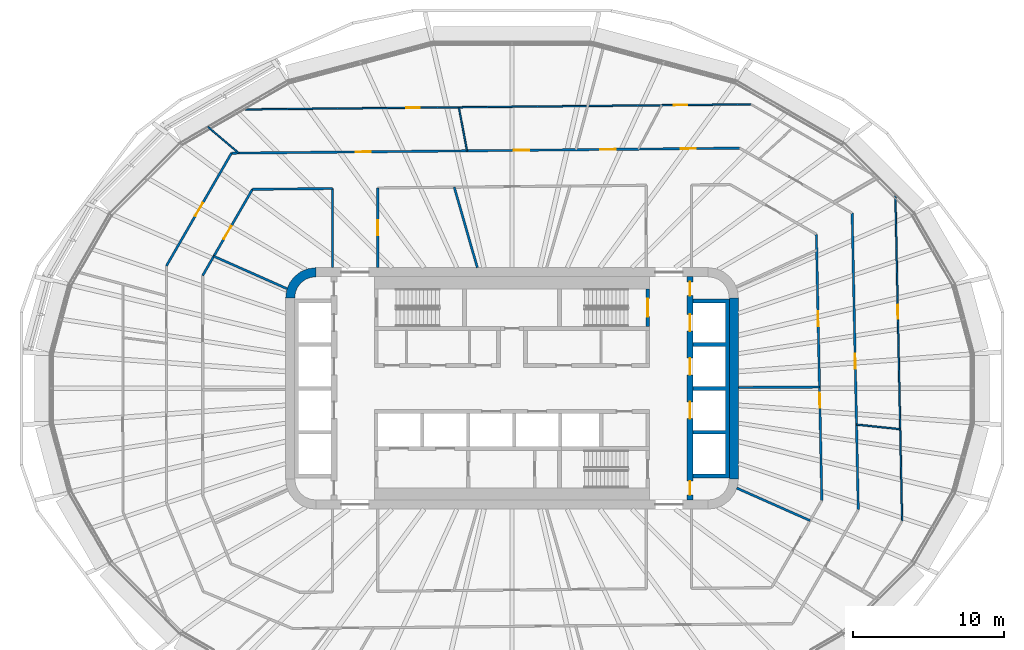
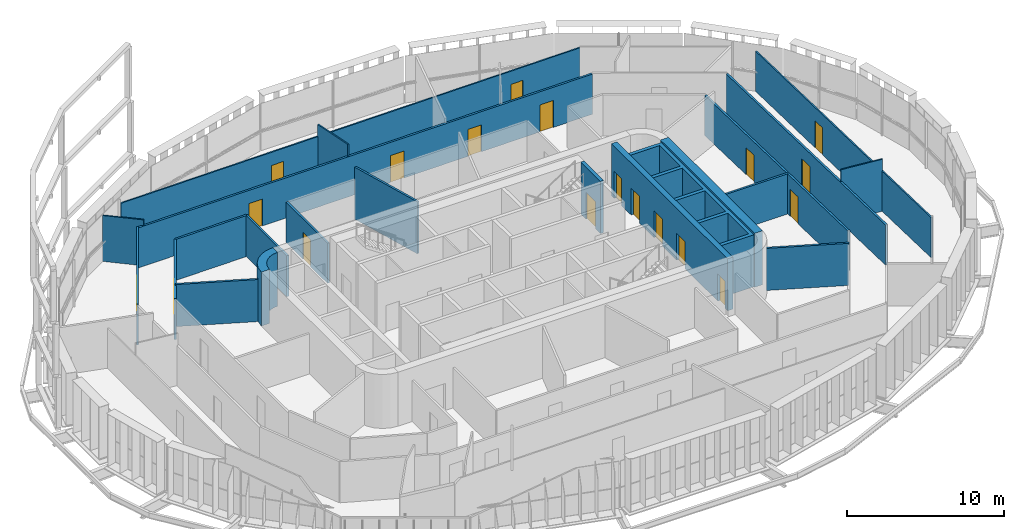
# One storey, part 15 of 24: 22 walls, 19 doors, 19 openings.
"""IFC4 building model written with IfcOpenShell, lengths in metres."""

from ifc_helpers import new_model, si_unit, direction, frame, frame_2d, origin, place, context, subcontext, project, spatial, polyline, rectangle, outline, extrude, material, layer, layer_set, type_object, element, fill, save


model = new_model("IFC4")

# Units and contexts
model_context = context("Model", 3, precision=1e-05, world=origin(), true_north=direction((0.0, 1.0)))
body_context = subcontext(model_context, "Body", "Model", "MODEL_VIEW")
ifc_project = project(units=[si_unit("LENGTHUNIT", "METRE"), si_unit("AREAUNIT", "SQUARE_METRE"), si_unit("VOLUMEUNIT", "CUBIC_METRE"), si_unit("PLANEANGLEUNIT", "RADIAN"), si_unit("MASSUNIT", "GRAM", prefix="KILO")], contexts=[model_context])

# Site, building, storey
site_placement = place(None, origin())
site = spatial("IfcSite", under=ifc_project, at=site_placement, CompositionType="ELEMENT")
building_placement = place(site_placement, origin())
building = spatial("IfcBuilding", under=site, at=building_placement, Name="Sahrelin Media Tower", CompositionType="ELEMENT")
storey_placement = place(building_placement, frame((0.0, 0.0, 58.800048828125)))
storey = spatial("IfcBuildingStorey", under=building, at=storey_placement, Name="L09", CompositionType="ELEMENT", Elevation=58.800048828125)

# Walls
ifc_material_1 = material(Name="Concrete C60/75", Category="concrete")
ifc_layer_1 = layer(ifc_material_1, 0.60009765625)
ifc_layer_set_1 = layer_set([ifc_layer_1], Name="Core wall 600")
wall_type_1 = type_object("IfcWallType", Name="Core wall 600", PredefinedType="SHEAR", material=ifc_layer_set_1)
wall_1_placement = place(storey_placement, frame((14.699951171875, -6.0, 0.0), z_axis=(0.0, 0.0, 1.0), x_axis=(0.0, 1.0, 0.0)))
element("IfcWall", 1, at=wall_1_placement, inside=storey, type_object=wall_type_1, Name="Core wall E L09", PredefinedType="SHEAR", context=body_context, shape_type="SweptSolid", body=[
    extrude(rectangle(XDim=12.0, YDim=0.60009765625, at=frame_2d((6.0, 0.0))), origin(), (0.0, 0.0, 1.0), 4.199951171875),
])
placement = place(storey_placement, origin())
element("IfcWall", 2, at=placement, inside=storey, type_object=wall_type_1, Name="Core wall corner NW L09", PredefinedType="SHEAR", context=body_context, shape_type="SweptSolid", body=[
    extrude(outline(polyline([(-15.0, 6.0), (-14.394775390625, 6.0), (-14.347412109375, 6.361083984375), (-14.2080078125, 6.697509765625), (-13.986328125, 6.986328125), (-13.697509765625, 7.2080078125), (-13.361083984375, 7.347412109375), (-13.0, 7.394775390625), (-13.0, 8.0), (-13.517578125, 7.931884765625), (-14.0, 7.732177734375), (-14.414306640625, 7.414306640625), (-14.732177734375, 7.0), (-14.931884765625, 6.517578125), (-15.0, 6.0)])), origin(), (0.0, 0.0, 1.0), 4.199951171875),
])

# Wall, openings, doors
ifc_material_2 = material(Name="Fire-rated gypsum board partition")
ifc_layer_2 = layer(ifc_material_2, 0.14990234375)
ifc_layer_set_2 = layer_set([ifc_layer_2], Name="Fire-rated partition 150")
wall_type_2 = type_object("IfcWallType", Name="Fire-rated partition 150", PredefinedType="PARTITIONING", material=ifc_layer_set_2)
wall_3_placement = place(storey_placement, frame((20.1669921875, 10.212890625, 0.0), z_axis=(0.0, 0.0, 1.0), x_axis=(0.020624730832, -0.999787287616, 0.0)))
wall_3 = element("IfcWall", 3, at=wall_3_placement, inside=storey, type_object=wall_type_2, Name="Wall", PredefinedType="PARTITIONING", context=body_context, shape_type="SweptSolid", body=[
    extrude(rectangle(XDim=17.637451171875, YDim=0.14990234375, at=frame_2d((8.81884765625, 0.0))), origin(), (0.0, 0.0, 1.0), 3.126953125),
])
opening_1_placement = place(wall_3_placement, frame((10.507568359375, 0.0, 0.0)))
opening_1 = element("IfcOpeningElement", 4, at=opening_1_placement, cuts=wall_3, Name="Opening L09-D26", PredefinedType="OPENING", context=body_context, shape_type="SweptSolid", body=[
    extrude(rectangle(XDim=1.0, YDim=2.10009765625, at=frame_2d((0.5, 1.050048828125))), frame((0.0, 0.074951171875, 0.0), z_axis=(0.0, -1.0, 0.0), x_axis=(1.0, 0.0, 0.0)), (0.0, 0.0, 1.0), 0.14990234375),
])
opening_2_placement = place(wall_3_placement, frame((5.089111328125, 0.0, 0.0)))
opening_2 = element("IfcOpeningElement", 5, at=opening_2_placement, cuts=wall_3, Name="Opening L09-D27", PredefinedType="OPENING", context=body_context, shape_type="SweptSolid", body=[
    extrude(rectangle(XDim=1.0, YDim=2.10009765625, at=frame_2d((0.5, 1.050048828125))), frame((0.0, 0.074951171875, 0.0), z_axis=(0.0, -1.0, 0.0), x_axis=(1.0, 0.0, 0.0)), (0.0, 0.0, 1.0), 0.14990234375),
])
ifc_material_3 = material(Name="Steel fire door leaf", Category="steel")
door_type_1 = type_object("IfcDoorType", Name="Fire door 1000 x 2100 EI 60", OperationType="NOTDEFINED", PredefinedType="DOOR", material=ifc_material_3)
door_1_placement = place(opening_1_placement, origin())
door_1 = element("IfcDoor", 6, at=door_1_placement, inside=storey, type_object=door_type_1, Name="Fire door", OperationType="SINGLE_SWING_RIGHT", OverallHeight=2.10009765625, OverallWidth=1.0, PredefinedType="DOOR", context=body_context, shape_type="SweptSolid", body=[
    extrude(rectangle(XDim=1.0, YDim=2.10009765625, at=frame_2d((0.5, 1.050048828125))), frame((0.0, 0.02490234375, 0.0), z_axis=(0.0, -1.0, 0.0), x_axis=(1.0, 0.0, 0.0)), (0.0, 0.0, 1.0), 0.050048828125),
])
fill(opening_1, door_1)
door_2_placement = place(opening_2_placement, origin())
door_2 = element("IfcDoor", 7, at=door_2_placement, inside=storey, type_object=door_type_1, Name="Fire door", OperationType="SINGLE_SWING_LEFT", OverallHeight=2.10009765625, OverallWidth=1.0, PredefinedType="DOOR", context=body_context, shape_type="SweptSolid", body=[
    extrude(rectangle(XDim=1.0, YDim=2.10009765625, at=frame_2d((0.5, 1.050048828125))), frame((0.0, 0.02490234375, 0.0), z_axis=(0.0, -1.0, 0.0), x_axis=(1.0, 0.0, 0.0)), (0.0, 0.0, 1.0), 0.050048828125),
])
fill(opening_2, door_2)

# Wall, opening, door
wall_4_placement = place(storey_placement, frame((22.5390625, 11.614990234375, 0.0), z_axis=(0.0, 0.0, 1.0), x_axis=(0.020626332176, -0.99978725458, 0.0)))
wall_4 = element("IfcWall", 8, at=wall_4_placement, inside=storey, type_object=wall_type_2, Name="Wall", PredefinedType="PARTITIONING", context=body_context, shape_type="SweptSolid", body=[
    extrude(rectangle(XDim=19.66015625, YDim=0.14990234375, at=frame_2d((9.830078125, 0.0))), origin(), (0.0, 0.0, 1.0), 3.126953125),
])
opening_3_placement = place(wall_4_placement, frame((9.329833984375, 0.0, 0.0)))
opening_3 = element("IfcOpeningElement", 9, at=opening_3_placement, cuts=wall_4, Name="Opening L09-D50", PredefinedType="OPENING", context=body_context, shape_type="SweptSolid", body=[
    extrude(rectangle(XDim=1.0, YDim=2.10009765625, at=frame_2d((0.5, 1.050048828125))), frame((0.0, 0.074951171875, 0.0), z_axis=(0.0, -1.0, 0.0), x_axis=(1.0, 0.0, 0.0)), (0.0, 0.0, 1.0), 0.14990234375),
])
door_3_placement = place(opening_3_placement, origin())
door_3 = element("IfcDoor", 10, at=door_3_placement, inside=storey, type_object=door_type_1, Name="Fire door", OperationType="SINGLE_SWING_LEFT", OverallHeight=2.10009765625, OverallWidth=1.0, PredefinedType="DOOR", context=body_context, shape_type="SweptSolid", body=[
    extrude(rectangle(XDim=1.0, YDim=2.10009765625, at=frame_2d((0.5, 1.050048828125))), frame((0.0, 0.02490234375, 0.0), z_axis=(0.0, -1.0, 0.0), x_axis=(1.0, 0.0, 0.0)), (0.0, 0.0, 1.0), 0.050048828125),
])
fill(opening_3, door_3)

# Walls
wall_5_placement = place(storey_placement, frame((-3.826904296875, 13.3330078125, 0.0), z_axis=(0.0, 0.0, 1.0), x_axis=(0.275935525478, -0.961176147113, 0.0)))
element("IfcWall", 11, at=wall_5_placement, inside=storey, type_object=wall_type_2, Name="Wall", PredefinedType="PARTITIONING", context=body_context, shape_type="SweptSolid", body=[
    extrude(rectangle(XDim=5.54833984375, YDim=0.14990234375, at=frame_2d((2.774169921875, 0.0))), origin(), (0.0, 0.0, 1.0), 4.050048828125),
])
wall_6_placement = place(storey_placement, frame((-19.760009765625, 8.7548828125, 0.0), z_axis=(0.0, 0.0, 1.0), x_axis=(0.91424834547, -0.405154245695, 0.0)))
element("IfcWall", 12, at=wall_6_placement, inside=storey, type_object=wall_type_2, Name="Wall", PredefinedType="PARTITIONING", context=body_context, shape_type="SweptSolid", body=[
    extrude(rectangle(XDim=5.31787109375, YDim=0.14990234375, at=frame_2d((2.658935546875, 0.0))), origin(), (0.0, 0.0, 1.0), 3.27587890625),
])
wall_7_placement = place(storey_placement, frame((14.89501953125, -6.60693359375, 0.0), z_axis=(0.0, 0.0, 1.0), x_axis=(0.914233271379, -0.405188259337, 0.0)))
element("IfcWall", 13, at=wall_7_placement, inside=storey, type_object=wall_type_2, Name="Wall", PredefinedType="PARTITIONING", context=body_context, shape_type="SweptSolid", body=[
    extrude(rectangle(XDim=5.3173828125, YDim=0.14990234375, at=frame_2d((2.65869140625, 0.0))), origin(), (0.0, 0.0, 1.0), 3.27587890625),
])
wall_8_placement = place(storey_placement, frame((15.0, 0.06298828125, 0.0), z_axis=(0.0, 0.0, 1.0), x_axis=(0.999990294223, 0.004405843865, 0.0)))
element("IfcWall", 14, at=wall_8_placement, inside=storey, type_object=wall_type_2, Name="Wall", PredefinedType="PARTITIONING", context=body_context, shape_type="SweptSolid", body=[
    extrude(rectangle(XDim=5.375, YDim=0.14990234375, at=frame_2d((2.6875, 0.0))), origin(), (0.0, 0.0, 1.0), 3.126953125),
])
wall_9_placement = place(storey_placement, frame((-17.194091796875, 13.19091796875, 0.0), z_axis=(0.0, 0.0, 1.0), x_axis=(0.999950394899, 0.009960308291, 0.0)))
element("IfcWall", 15, at=wall_9_placement, inside=storey, type_object=wall_type_2, Name="Wall", PredefinedType="PARTITIONING", context=body_context, shape_type="SweptSolid", body=[
    extrude(rectangle(XDim=5.29443359375, YDim=0.14990234375, at=frame_2d((2.647216796875, 0.0))), origin(), (0.0, 0.0, 1.0), 3.195068359375),
])

# Wall, openings, doors
wall_10_placement = place(storey_placement, frame((-18.5869140625, 15.5869140625, 0.0), z_axis=(0.0, 0.0, 1.0), x_axis=(0.99995065417, 0.009934245078, 0.0)))
wall_10 = element("IfcWall", 16, at=wall_10_placement, inside=storey, type_object=wall_type_2, Name="Wall", PredefinedType="PARTITIONING", context=body_context, shape_type="SweptSolid", body=[
    extrude(rectangle(XDim=33.668701171875, YDim=0.14990234375, at=frame_2d((16.83447265625, 0.0))), origin(), (0.0, 0.0, 1.0), 3.126953125),
])
opening_4_placement = place(wall_10_placement, frame((18.7158203125, 0.0, 0.0)))
opening_4 = element("IfcOpeningElement", 17, at=opening_4_placement, cuts=wall_10, Name="Opening L09-D36", PredefinedType="OPENING", context=body_context, shape_type="SweptSolid", body=[
    extrude(rectangle(XDim=1.0, YDim=2.10009765625, at=frame_2d((0.5, 1.050048828125))), frame((0.0, 0.074951171875, 0.0), z_axis=(0.0, -1.0, 0.0), x_axis=(1.0, 0.0, 0.0)), (0.0, 0.0, 1.0), 0.14990234375),
])
opening_5_placement = place(wall_10_placement, frame((8.22802734375, 0.0, 0.0)))
opening_5 = element("IfcOpeningElement", 18, at=opening_5_placement, cuts=wall_10, Name="Opening L09-D37", PredefinedType="OPENING", context=body_context, shape_type="SweptSolid", body=[
    extrude(rectangle(XDim=1.0, YDim=2.10009765625, at=frame_2d((0.5, 1.050048828125))), frame((0.0, 0.074951171875, 0.0), z_axis=(0.0, -1.0, 0.0), x_axis=(1.0, 0.0, 0.0)), (0.0, 0.0, 1.0), 0.14990234375),
])
opening_6_placement = place(wall_10_placement, frame((29.767822265625, 0.0, 0.0)))
opening_6 = element("IfcOpeningElement", 19, at=opening_6_placement, cuts=wall_10, Name="Opening L09-D53", PredefinedType="OPENING", context=body_context, shape_type="SweptSolid", body=[
    extrude(rectangle(XDim=1.0, YDim=2.10009765625, at=frame_2d((0.5, 1.050048828125))), frame((0.0, 0.074951171875, 0.0), z_axis=(0.0, -1.0, 0.0), x_axis=(1.0, 0.0, 0.0)), (0.0, 0.0, 1.0), 0.14990234375),
])
opening_7_placement = place(wall_10_placement, frame((24.44873046875, 0.0, 0.0)))
opening_7 = element("IfcOpeningElement", 20, at=opening_7_placement, cuts=wall_10, Name="Opening L09-D54", PredefinedType="OPENING", context=body_context, shape_type="SweptSolid", body=[
    extrude(rectangle(XDim=1.0, YDim=2.10009765625, at=frame_2d((0.5, 1.050048828125))), frame((0.0, 0.074951171875, 0.0), z_axis=(0.0, -1.0, 0.0), x_axis=(1.0, 0.0, 0.0)), (0.0, 0.0, 1.0), 0.14990234375),
])
door_4_placement = place(opening_4_placement, origin())
door_4 = element("IfcDoor", 21, at=door_4_placement, inside=storey, type_object=door_type_1, Name="Fire door", OperationType="SINGLE_SWING_RIGHT", OverallHeight=2.10009765625, OverallWidth=1.0, PredefinedType="DOOR", context=body_context, shape_type="SweptSolid", body=[
    extrude(rectangle(XDim=1.0, YDim=2.10009765625, at=frame_2d((0.5, 1.050048828125))), frame((0.0, 0.02490234375, 0.0), z_axis=(0.0, -1.0, 0.0), x_axis=(1.0, 0.0, 0.0)), (0.0, 0.0, 1.0), 0.050048828125),
])
fill(opening_4, door_4)
door_5_placement = place(opening_5_placement, origin())
door_5 = element("IfcDoor", 22, at=door_5_placement, inside=storey, type_object=door_type_1, Name="Fire door", OperationType="SINGLE_SWING_RIGHT", OverallHeight=2.10009765625, OverallWidth=1.0, PredefinedType="DOOR", context=body_context, shape_type="SweptSolid", body=[
    extrude(rectangle(XDim=1.0, YDim=2.10009765625, at=frame_2d((0.5, 1.050048828125))), frame((0.0, 0.02490234375, 0.0), z_axis=(0.0, -1.0, 0.0), x_axis=(1.0, 0.0, 0.0)), (0.0, 0.0, 1.0), 0.050048828125),
])
fill(opening_5, door_5)
door_6_placement = place(opening_6_placement, origin())
door_6 = element("IfcDoor", 23, at=door_6_placement, inside=storey, type_object=door_type_1, Name="Fire door", OperationType="SINGLE_SWING_LEFT", OverallHeight=2.10009765625, OverallWidth=1.0, PredefinedType="DOOR", context=body_context, shape_type="SweptSolid", body=[
    extrude(rectangle(XDim=1.0, YDim=2.10009765625, at=frame_2d((0.5, 1.050048828125))), frame((0.0, 0.02490234375, 0.0), z_axis=(0.0, -1.0, 0.0), x_axis=(1.0, 0.0, 0.0)), (0.0, 0.0, 1.0), 0.050048828125),
])
fill(opening_6, door_6)
door_7_placement = place(opening_7_placement, origin())
door_7 = element("IfcDoor", 24, at=door_7_placement, inside=storey, type_object=door_type_1, Name="Fire door", OperationType="SINGLE_SWING_RIGHT", OverallHeight=2.10009765625, OverallWidth=1.0, PredefinedType="DOOR", context=body_context, shape_type="SweptSolid", body=[
    extrude(rectangle(XDim=1.0, YDim=2.10009765625, at=frame_2d((0.5, 1.050048828125))), frame((0.0, 0.02490234375, 0.0), z_axis=(0.0, -1.0, 0.0), x_axis=(1.0, 0.0, 0.0)), (0.0, 0.0, 1.0), 0.050048828125),
])
fill(opening_7, door_7)

# Wall, opening, door
wall_11_placement = place(storey_placement, frame((-20.5, 7.47412109375, 0.0), z_axis=(0.0, 0.0, 1.0), x_axis=(0.500012665616, 0.866018091164, 0.0)))
wall_11 = element("IfcWall", 25, at=wall_11_placement, inside=storey, type_object=wall_type_2, Name="Wall", PredefinedType="PARTITIONING", context=body_context, shape_type="SweptSolid", body=[
    extrude(rectangle(XDim=6.602294921875, YDim=0.14990234375, at=frame_2d((3.30126953125, 0.0))), origin(), (0.0, 0.0, 1.0), 3.195068359375),
])
opening_8_placement = place(wall_11_placement, frame((2.80322265625, 0.0, 0.0)))
opening_8 = element("IfcOpeningElement", 26, at=opening_8_placement, cuts=wall_11, Name="Opening L09-D32", PredefinedType="OPENING", context=body_context, shape_type="SweptSolid", body=[
    extrude(rectangle(XDim=1.0, YDim=2.10009765625, at=frame_2d((0.5, 1.050048828125))), frame((0.0, 0.074951171875, 0.0), z_axis=(0.0, -1.0, 0.0), x_axis=(1.0, 0.0, 0.0)), (0.0, 0.0, 1.0), 0.14990234375),
])
door_8_placement = place(opening_8_placement, origin())
door_8 = element("IfcDoor", 27, at=door_8_placement, inside=storey, type_object=door_type_1, Name="Fire door", OperationType="SINGLE_SWING_LEFT", OverallHeight=2.10009765625, OverallWidth=1.0, PredefinedType="DOOR", context=body_context, shape_type="SweptSolid", body=[
    extrude(rectangle(XDim=1.0, YDim=2.10009765625, at=frame_2d((0.5, 1.050048828125))), frame((0.0, 0.02490234375, 0.0), z_axis=(0.0, -1.0, 0.0), x_axis=(1.0, 0.0, 0.0)), (0.0, 0.0, 1.0), 0.050048828125),
])
fill(opening_8, door_8)

wall_12_placement = place(storey_placement, frame((-22.89990234375, 8.116943359375, 0.0), z_axis=(0.0, 0.0, 1.0), x_axis=(0.500017275495, 0.866015429543, 0.0)))
wall_12 = element("IfcWall", 28, at=wall_12_placement, inside=storey, type_object=wall_type_2, Name="Wall", PredefinedType="PARTITIONING", context=body_context, shape_type="SweptSolid", body=[
    extrude(rectangle(XDim=8.625732421875, YDim=0.14990234375, at=frame_2d((4.31298828125, 0.0))), origin(), (0.0, 0.0, 1.0), 3.195068359375),
])
opening_9_placement = place(wall_12_placement, frame((3.812744140625, 0.0, 0.0)))
opening_9 = element("IfcOpeningElement", 29, at=opening_9_placement, cuts=wall_12, Name="Opening L09-D38", PredefinedType="OPENING", context=body_context, shape_type="SweptSolid", body=[
    extrude(rectangle(XDim=1.0, YDim=2.10009765625, at=frame_2d((0.5, 1.050048828125))), frame((0.0, 0.074951171875, 0.0), z_axis=(0.0, -1.0, 0.0), x_axis=(1.0, 0.0, 0.0)), (0.0, 0.0, 1.0), 0.14990234375),
])
door_9_placement = place(opening_9_placement, origin())
door_9 = element("IfcDoor", 30, at=door_9_placement, inside=storey, type_object=door_type_1, Name="Fire door", OperationType="SINGLE_SWING_RIGHT", OverallHeight=2.10009765625, OverallWidth=1.0, PredefinedType="DOOR", context=body_context, shape_type="SweptSolid", body=[
    extrude(rectangle(XDim=1.0, YDim=2.10009765625, at=frame_2d((0.5, 1.050048828125))), frame((0.0, 0.02490234375, 0.0), z_axis=(0.0, -1.0, 0.0), x_axis=(1.0, 0.0, 0.0)), (0.0, 0.0, 1.0), 0.050048828125),
])
fill(opening_9, door_9)

wall_13_placement = place(storey_placement, frame((-8.89990234375, 8.0, 0.0), z_axis=(0.0, 0.0, 1.0), x_axis=(0.0, 1.0, 0.0)))
wall_13 = element("IfcWall", 31, at=wall_13_placement, inside=storey, type_object=wall_type_2, Name="Wall", PredefinedType="PARTITIONING", context=body_context, shape_type="SweptSolid", body=[
    extrude(rectangle(XDim=5.282958984375, YDim=0.14990234375, at=frame_2d((2.6416015625, 0.0))), origin(), (0.0, 0.0, 1.0), 3.126953125),
])
opening_10_placement = place(wall_13_placement, frame((2.1416015625, 0.0, 0.0)))
opening_10 = element("IfcOpeningElement", 32, at=opening_10_placement, cuts=wall_13, Name="Opening L09-D31", PredefinedType="OPENING", context=body_context, shape_type="SweptSolid", body=[
    extrude(rectangle(XDim=1.0, YDim=2.10009765625, at=frame_2d((0.5, 1.050048828125))), frame((0.0, 0.074951171875, 0.0), z_axis=(0.0, -1.0, 0.0), x_axis=(1.0, 0.0, 0.0)), (0.0, 0.0, 1.0), 0.14990234375),
])
door_10_placement = place(opening_10_placement, origin())
door_10 = element("IfcDoor", 33, at=door_10_placement, inside=storey, type_object=door_type_1, Name="Fire door", OperationType="SINGLE_SWING_RIGHT", OverallHeight=2.10009765625, OverallWidth=1.0, PredefinedType="DOOR", context=body_context, shape_type="SweptSolid", body=[
    extrude(rectangle(XDim=1.0, YDim=2.10009765625, at=frame_2d((0.5, 1.050048828125))), frame((0.0, 0.02490234375, 0.0), z_axis=(0.0, -1.0, 0.0), x_axis=(1.0, 0.0, 0.0)), (0.0, 0.0, 1.0), 0.050048828125),
])
fill(opening_10, door_10)

# Walls
wall_14_placement = place(storey_placement, frame((-11.89990234375, 8.0, 0.0), z_axis=(0.0, 0.0, 1.0), x_axis=(0.0, 1.0, 0.0)))
element("IfcWall", 34, at=wall_14_placement, inside=storey, type_object=wall_type_2, Name="Wall", PredefinedType="PARTITIONING", context=body_context, shape_type="SweptSolid", body=[
    extrude(rectangle(XDim=5.242919921875, YDim=0.14990234375, at=frame_2d((2.62158203125, 0.0))), origin(), (0.0, 0.0, 1.0), 3.195068359375),
])
ifc_layer_3 = layer(ifc_material_1, 0.25)
ifc_layer_set_3 = layer_set([ifc_layer_3], Name="Lift shaft wall 250")
wall_type_3 = type_object("IfcWallType", Name="Lift shaft wall 250", PredefinedType="SOLIDWALL", material=ifc_layer_set_3)
element("IfcWall", 35, at=placement, inside=storey, type_object=wall_type_3, Name="Lift shaft wall", PredefinedType="SOLIDWALL", context=body_context, shape_type="SweptSolid", body=[
    extrude(outline(polyline([(12.0, -5.675048828125), (12.0, -5.925048828125), (14.14990234375, -5.925048828125), (14.39990234375, -5.925048828125), (14.39990234375, -5.675048828125), (14.39990234375, -3.02490234375), (14.39990234375, -2.77490234375), (14.39990234375, -0.125), (14.39990234375, 0.125), (14.39990234375, 2.77490234375), (14.39990234375, 3.02490234375), (14.39990234375, 5.675048828125), (14.39990234375, 5.925048828125), (14.14990234375, 5.925048828125), (12.0, 5.925048828125), (12.0, 5.675048828125), (14.14990234375, 5.675048828125), (14.14990234375, 3.02490234375), (12.0, 3.02490234375), (12.0, 2.77490234375), (14.14990234375, 2.77490234375), (14.14990234375, 0.125), (12.0, 0.125), (12.0, -0.125), (14.14990234375, -0.125), (14.14990234375, -2.77490234375), (12.0, -2.77490234375), (12.0, -3.02490234375), (14.14990234375, -3.02490234375), (14.14990234375, -5.675048828125), (12.0, -5.675048828125)])), origin(), (0.0, 0.0, 1.0), 4.050048828125),
])

# Wall, openings, doors
ifc_layer_4 = layer(ifc_material_1, 0.39990234375)
ifc_layer_set_4 = layer_set([ifc_layer_4], Name="Lift shaft wall 400")
wall_type_4 = type_object("IfcWallType", Name="Lift shaft wall 400", PredefinedType="SOLIDWALL", material=ifc_layer_set_4)
wall_16_placement = place(storey_placement, frame((11.800048828125, -7.39990234375, 0.0), z_axis=(0.0, 0.0, 1.0), x_axis=(0.0, 1.0, 0.0)))
wall_16 = element("IfcWall", 36, at=wall_16_placement, inside=storey, type_object=wall_type_4, Name="Lift shaft wall", PredefinedType="SOLIDWALL", context=body_context, shape_type="SweptSolid", body=[
    extrude(rectangle(XDim=14.7998046875, YDim=0.39990234375, at=frame_2d((7.39990234375, 0.0))), origin(), (0.0, 0.0, 1.0), 4.050048828125),
])
opening_11_placement = place(wall_16_placement, frame((11.199951171875, 0.0, 0.0)))
opening_11 = element("IfcOpeningElement", 37, at=opening_11_placement, cuts=wall_16, Name="Opening L09-LD-LR4", PredefinedType="OPENING", context=body_context, shape_type="SweptSolid", body=[
    extrude(rectangle(XDim=1.10009765625, YDim=2.10009765625, at=frame_2d((0.550048828125, 1.050048828125))), frame((0.0, 0.199951171875, 0.0), z_axis=(0.0, -1.0, 0.0), x_axis=(1.0, 0.0, 0.0)), (0.0, 0.0, 1.0), 0.39990234375),
])
opening_12_placement = place(wall_16_placement, frame((8.300048828125, 0.0, 0.0)))
opening_12 = element("IfcOpeningElement", 38, at=opening_12_placement, cuts=wall_16, Name="Opening L09-LD-LR5", PredefinedType="OPENING", context=body_context, shape_type="SweptSolid", body=[
    extrude(rectangle(XDim=1.10009765625, YDim=2.10009765625, at=frame_2d((0.550048828125, 1.050048828125))), frame((0.0, 0.199951171875, 0.0), z_axis=(0.0, -1.0, 0.0), x_axis=(1.0, 0.0, 0.0)), (0.0, 0.0, 1.0), 0.39990234375),
])
opening_13_placement = place(wall_16_placement, frame((5.39990234375, 0.0, 0.0)))
opening_13 = element("IfcOpeningElement", 39, at=opening_13_placement, cuts=wall_16, Name="Opening L09-LD-LR6", PredefinedType="OPENING", context=body_context, shape_type="SweptSolid", body=[
    extrude(rectangle(XDim=1.10009765625, YDim=2.10009765625, at=frame_2d((0.550048828125, 1.050048828125))), frame((0.0, 0.199951171875, 0.0), z_axis=(0.0, -1.0, 0.0), x_axis=(1.0, 0.0, 0.0)), (0.0, 0.0, 1.0), 0.39990234375),
])
opening_14_placement = place(wall_16_placement, frame((13.552490234375, 0.0, 0.0)))
opening_14 = element("IfcOpeningElement", 40, at=opening_14_placement, cuts=wall_16, Name="Opening L09-D16", PredefinedType="OPENING", context=body_context, shape_type="SweptSolid", body=[
    extrude(rectangle(XDim=0.89990234375, YDim=2.10009765625, at=frame_2d((0.449951171875, 1.050048828125))), frame((0.0, 0.199951171875, 0.0), z_axis=(0.0, -1.0, 0.0), x_axis=(1.0, 0.0, 0.0)), (0.0, 0.0, 1.0), 0.39990234375),
])
opening_15_placement = place(wall_16_placement, frame((0.347412109375, 0.0, 0.0)))
opening_15 = element("IfcOpeningElement", 41, at=opening_15_placement, cuts=wall_16, Name="Opening L09-D17", PredefinedType="OPENING", context=body_context, shape_type="SweptSolid", body=[
    extrude(rectangle(XDim=0.89990234375, YDim=2.10009765625, at=frame_2d((0.449951171875, 1.050048828125))), frame((0.0, 0.199951171875, 0.0), z_axis=(0.0, -1.0, 0.0), x_axis=(1.0, 0.0, 0.0)), (0.0, 0.0, 1.0), 0.39990234375),
])
ifc_material_4 = material(Name="Stainless steel", Category="steel")
door_type_2 = type_object("IfcDoorType", Name="Lift landing door 1100 x 2100 EI 120", OperationType="DOUBLE_DOOR_SLIDING", PredefinedType="DOOR", material=ifc_material_4)
door_11_placement = place(opening_11_placement, origin())
door_11 = element("IfcDoor", 42, at=door_11_placement, inside=storey, type_object=door_type_2, Name="Lift landing door LR4", OperationType="DOUBLE_DOOR_SLIDING", OverallHeight=2.10009765625, OverallWidth=1.10009765625, PredefinedType="DOOR", context=body_context, shape_type="SweptSolid", body=[
    extrude(rectangle(XDim=1.10009765625, YDim=2.10009765625, at=frame_2d((0.550048828125, 1.050048828125))), frame((0.0, 0.02490234375, 0.0), z_axis=(0.0, -1.0, 0.0), x_axis=(1.0, 0.0, 0.0)), (0.0, 0.0, 1.0), 0.050048828125),
])
fill(opening_11, door_11)
door_12_placement = place(opening_12_placement, origin())
door_12 = element("IfcDoor", 43, at=door_12_placement, inside=storey, type_object=door_type_2, Name="Lift landing door LR5", OperationType="DOUBLE_DOOR_SLIDING", OverallHeight=2.10009765625, OverallWidth=1.10009765625, PredefinedType="DOOR", context=body_context, shape_type="SweptSolid", body=[
    extrude(rectangle(XDim=1.10009765625, YDim=2.10009765625, at=frame_2d((0.550048828125, 1.050048828125))), frame((0.0, 0.02490234375, 0.0), z_axis=(0.0, -1.0, 0.0), x_axis=(1.0, 0.0, 0.0)), (0.0, 0.0, 1.0), 0.050048828125),
])
fill(opening_12, door_12)
door_13_placement = place(opening_13_placement, origin())
door_13 = element("IfcDoor", 44, at=door_13_placement, inside=storey, type_object=door_type_2, Name="Lift landing door LR6", OperationType="DOUBLE_DOOR_SLIDING", OverallHeight=2.10009765625, OverallWidth=1.10009765625, PredefinedType="DOOR", context=body_context, shape_type="SweptSolid", body=[
    extrude(rectangle(XDim=1.10009765625, YDim=2.10009765625, at=frame_2d((0.550048828125, 1.050048828125))), frame((0.0, 0.02490234375, 0.0), z_axis=(0.0, -1.0, 0.0), x_axis=(1.0, 0.0, 0.0)), (0.0, 0.0, 1.0), 0.050048828125),
])
fill(opening_13, door_13)
door_type_3 = type_object("IfcDoorType", Name="Riser door 900 x 2100 EI 120", OperationType="NOTDEFINED", PredefinedType="DOOR", material=ifc_material_3)
door_14_placement = place(opening_14_placement, origin())
door_14 = element("IfcDoor", 45, at=door_14_placement, inside=storey, type_object=door_type_3, Name="Riser door", OperationType="SINGLE_SWING_RIGHT", OverallHeight=2.10009765625, OverallWidth=0.89990234375, PredefinedType="DOOR", context=body_context, shape_type="SweptSolid", body=[
    extrude(rectangle(XDim=0.89990234375, YDim=2.10009765625, at=frame_2d((0.449951171875, 1.050048828125))), frame((0.0, 0.02490234375, 0.0), z_axis=(0.0, -1.0, 0.0), x_axis=(1.0, 0.0, 0.0)), (0.0, 0.0, 1.0), 0.050048828125),
])
fill(opening_14, door_14)
door_15_placement = place(opening_15_placement, origin())
door_15 = element("IfcDoor", 46, at=door_15_placement, inside=storey, type_object=door_type_3, Name="Riser door", OperationType="SINGLE_SWING_RIGHT", OverallHeight=2.10009765625, OverallWidth=0.89990234375, PredefinedType="DOOR", context=body_context, shape_type="SweptSolid", body=[
    extrude(rectangle(XDim=0.89990234375, YDim=2.10009765625, at=frame_2d((0.449951171875, 1.050048828125))), frame((0.0, 0.02490234375, 0.0), z_axis=(0.0, -1.0, 0.0), x_axis=(1.0, 0.0, 0.0)), (0.0, 0.0, 1.0), 0.050048828125),
])
fill(opening_15, door_15)

# Wall, opening, door
ifc_material_5 = material(Name="Gypsum board partition")
ifc_layer_5 = layer(ifc_material_5, 0.10009765625)
ifc_layer_set_5 = layer_set([ifc_layer_5], Name="Partition 100")
wall_type_5 = type_object("IfcWallType", Name="Partition 100", PredefinedType="PARTITIONING", material=ifc_layer_set_5)
wall_17_placement = place(storey_placement, frame((25.404052734375, 12.85791015625, 0.0), z_axis=(0.0, 0.0, 1.0), x_axis=(0.020579430912, -0.999788221087, 0.0)))
wall_17 = element("IfcWall", 47, at=wall_17_placement, inside=storey, type_object=wall_type_5, Name="Wall", PredefinedType="PARTITIONING", context=body_context, shape_type="SweptSolid", body=[
    extrude(rectangle(XDim=21.650634765625, YDim=0.10009765625, at=frame_2d((10.8251953125, 0.0))), origin(), (0.0, 0.0, 1.0), 3.126953125),
])
opening_16_placement = place(wall_17_placement, frame((7.333251953125, 0.0, 0.0)))
opening_16 = element("IfcOpeningElement", 48, at=opening_16_placement, cuts=wall_17, Name="Opening L09-D51", PredefinedType="OPENING", context=body_context, shape_type="SweptSolid", body=[
    extrude(rectangle(XDim=0.89990234375, YDim=2.10009765625, at=frame_2d((0.449951171875, 1.050048828125))), frame((0.0, 0.050048828125, 0.0), z_axis=(0.0, -1.0, 0.0), x_axis=(1.0, 0.0, 0.0)), (0.0, 0.0, 1.0), 0.10009765625),
])
ifc_material_6 = material(Name="Timber door leaf", Category="wood")
door_type_4 = type_object("IfcDoorType", Name="Single door 900 x 2100", OperationType="NOTDEFINED", PredefinedType="DOOR", material=ifc_material_6)
door_16_placement = place(opening_16_placement, origin())
door_16 = element("IfcDoor", 49, at=door_16_placement, inside=storey, type_object=door_type_4, Name="Single door", OperationType="SINGLE_SWING_LEFT", OverallHeight=2.10009765625, OverallWidth=0.89990234375, PredefinedType="DOOR", context=body_context, shape_type="SweptSolid", body=[
    extrude(rectangle(XDim=0.89990234375, YDim=2.10009765625, at=frame_2d((0.449951171875, 1.050048828125))), frame((0.0, 0.02490234375, 0.0), z_axis=(0.0, -1.0, 0.0), x_axis=(1.0, 0.0, 0.0)), (0.0, 0.0, 1.0), 0.050048828125),
])
fill(opening_16, door_16)

# Walls
wall_18_placement = place(storey_placement, frame((-3.52392578125, 18.6259765625, 0.0), z_axis=(0.0, 0.0, 1.0), x_axis=(0.185980649988, -0.982553407113, 0.0)))
element("IfcWall", 50, at=wall_18_placement, inside=storey, type_object=wall_type_5, Name="Wall", PredefinedType="PARTITIONING", context=body_context, shape_type="SweptSolid", body=[
    extrude(rectangle(XDim=2.935302734375, YDim=0.10009765625, at=frame_2d((1.4677734375, 0.0))), origin(), (0.0, 0.0, 1.0), 4.050048828125),
])
wall_19_placement = place(storey_placement, frame((-20.14306640625, 17.3349609375, 0.0), z_axis=(0.0, 0.0, 1.0), x_axis=(0.757945732802, -0.652317611389, 0.0)))
element("IfcWall", 51, at=wall_19_placement, inside=storey, type_object=wall_type_5, Name="Wall", PredefinedType="PARTITIONING", context=body_context, shape_type="SweptSolid", body=[
    extrude(rectangle(XDim=2.671875, YDim=0.10009765625, at=frame_2d((1.3359375, 0.0))), origin(), (0.0, 0.0, 1.0), 3.572998046875),
])
wall_20_placement = place(storey_placement, frame((22.827880859375, -2.39892578125, 0.0), z_axis=(0.0, 0.0, 1.0), x_axis=(0.994541671448, -0.104340134908, 0.0)))
element("IfcWall", 52, at=wall_20_placement, inside=storey, type_object=wall_type_5, Name="Wall", PredefinedType="PARTITIONING", context=body_context, shape_type="SweptSolid", body=[
    extrude(rectangle(XDim=2.9130859375, YDim=0.10009765625, at=frame_2d((1.45654296875, 0.0))), origin(), (0.0, 0.0, 1.0), 4.050048828125),
])

# Wall, openings, doors
wall_21_placement = place(storey_placement, frame((-18.157958984375, 18.48095703125, 0.0), z_axis=(0.0, 0.0, 1.0), x_axis=(0.999950046819, 0.009995192196, 0.0)))
wall_21 = element("IfcWall", 53, at=wall_21_placement, inside=storey, type_object=wall_type_5, Name="Wall", PredefinedType="PARTITIONING", context=body_context, shape_type="SweptSolid", body=[
    extrude(rectangle(XDim=34.000732421875, YDim=0.10009765625, at=frame_2d((17.00048828125, 0.0))), origin(), (0.0, 0.0, 1.0), 3.126953125),
])
opening_17_placement = place(wall_21_placement, frame((11.13525390625, 0.0, 0.0)))
opening_17 = element("IfcOpeningElement", 54, at=opening_17_placement, cuts=wall_21, Name="Opening L09-D39", PredefinedType="OPENING", context=body_context, shape_type="SweptSolid", body=[
    extrude(rectangle(XDim=0.89990234375, YDim=2.10009765625, at=frame_2d((0.449951171875, 1.050048828125))), frame((0.0, 0.050048828125, 0.0), z_axis=(0.0, -1.0, 0.0), x_axis=(1.0, 0.0, 0.0)), (0.0, 0.0, 1.0), 0.10009765625),
])
opening_18_placement = place(wall_21_placement, frame((28.875, 0.0, 0.0)))
opening_18 = element("IfcOpeningElement", 55, at=opening_18_placement, cuts=wall_21, Name="Opening L09-D55", PredefinedType="OPENING", context=body_context, shape_type="SweptSolid", body=[
    extrude(rectangle(XDim=0.89990234375, YDim=2.10009765625, at=frame_2d((0.449951171875, 1.050048828125))), frame((0.0, 0.050048828125, 0.0), z_axis=(0.0, -1.0, 0.0), x_axis=(1.0, 0.0, 0.0)), (0.0, 0.0, 1.0), 0.10009765625),
])
door_17_placement = place(opening_17_placement, origin())
door_17 = element("IfcDoor", 56, at=door_17_placement, inside=storey, type_object=door_type_4, Name="Single door", OperationType="SINGLE_SWING_LEFT", OverallHeight=2.10009765625, OverallWidth=0.89990234375, PredefinedType="DOOR", context=body_context, shape_type="SweptSolid", body=[
    extrude(rectangle(XDim=0.89990234375, YDim=2.10009765625, at=frame_2d((0.449951171875, 1.050048828125))), frame((0.0, 0.02490234375, 0.0), z_axis=(0.0, -1.0, 0.0), x_axis=(1.0, 0.0, 0.0)), (0.0, 0.0, 1.0), 0.050048828125),
])
fill(opening_17, door_17)
door_18_placement = place(opening_18_placement, origin())
door_18 = element("IfcDoor", 57, at=door_18_placement, inside=storey, type_object=door_type_4, Name="Single door", OperationType="SINGLE_SWING_RIGHT", OverallHeight=2.10009765625, OverallWidth=0.89990234375, PredefinedType="DOOR", context=body_context, shape_type="SweptSolid", body=[
    extrude(rectangle(XDim=0.89990234375, YDim=2.10009765625, at=frame_2d((0.449951171875, 1.050048828125))), frame((0.0, 0.02490234375, 0.0), z_axis=(0.0, -1.0, 0.0), x_axis=(1.0, 0.0, 0.0)), (0.0, 0.0, 1.0), 0.050048828125),
])
fill(opening_18, door_18)

# Wall, opening, door
ifc_layer_6 = layer(ifc_material_1, 0.25)
ifc_layer_set_6 = layer_set([ifc_layer_6], Name="Stair enclosure wall 250")
wall_type_6 = type_object("IfcWallType", Name="Stair enclosure wall 250", PredefinedType="SOLIDWALL", material=ifc_layer_set_6)
wall_22_placement = place(storey_placement, frame((9.0, 4.10009765625, 0.0), z_axis=(0.0, 0.0, 1.0), x_axis=(0.0, 1.0, 0.0)))
wall_22 = element("IfcWall", 58, at=wall_22_placement, inside=storey, type_object=wall_type_6, Name="Stair enclosure wall", PredefinedType="SOLIDWALL", context=body_context, shape_type="SweptSolid", body=[
    extrude(rectangle(XDim=2.5, YDim=0.25, at=frame_2d((1.25, 0.0))), origin(), (0.0, 0.0, 1.0), 4.050048828125),
])
opening_19_placement = place(wall_22_placement, frame((0.64990234375, 0.0, 0.0)))
opening_19 = element("IfcOpeningElement", 59, at=opening_19_placement, cuts=wall_22, Name="Opening L09-D02", PredefinedType="OPENING", context=body_context, shape_type="SweptSolid", body=[
    extrude(rectangle(XDim=1.199951171875, YDim=2.10009765625, at=frame_2d((0.60009765625, 1.050048828125))), frame((0.0, 0.125, 0.0), z_axis=(0.0, -1.0, 0.0), x_axis=(1.0, 0.0, 0.0)), (0.0, 0.0, 1.0), 0.25),
])
door_type_5 = type_object("IfcDoorType", Name="Stair door 1200 x 2100 EI 120", OperationType="NOTDEFINED", PredefinedType="DOOR", material=ifc_material_3)
door_19_placement = place(opening_19_placement, origin())
door_19 = element("IfcDoor", 60, at=door_19_placement, inside=storey, type_object=door_type_5, Name="Stair door ST3", OperationType="SINGLE_SWING_LEFT", OverallHeight=2.10009765625, OverallWidth=1.199951171875, PredefinedType="DOOR", context=body_context, shape_type="SweptSolid", body=[
    extrude(rectangle(XDim=1.199951171875, YDim=2.10009765625, at=frame_2d((0.60009765625, 1.050048828125))), frame((0.0, 0.02490234375, 0.0), z_axis=(0.0, -1.0, 0.0), x_axis=(1.0, 0.0, 0.0)), (0.0, 0.0, 1.0), 0.050048828125),
])
fill(opening_19, door_19)

save(model, "model.ifc")
